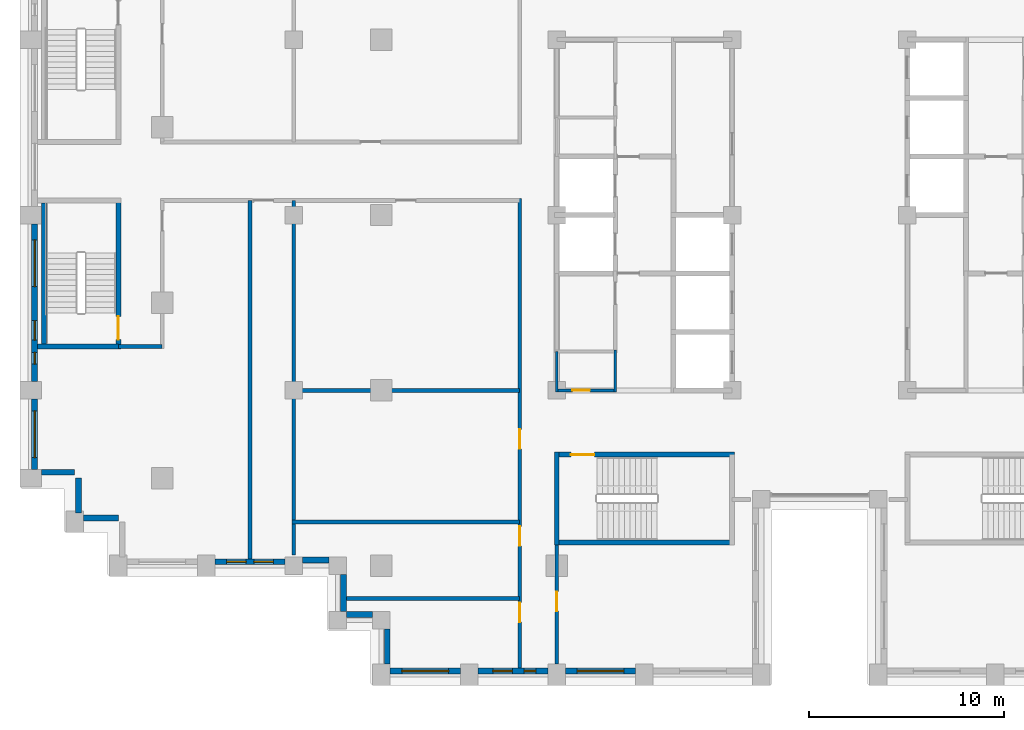
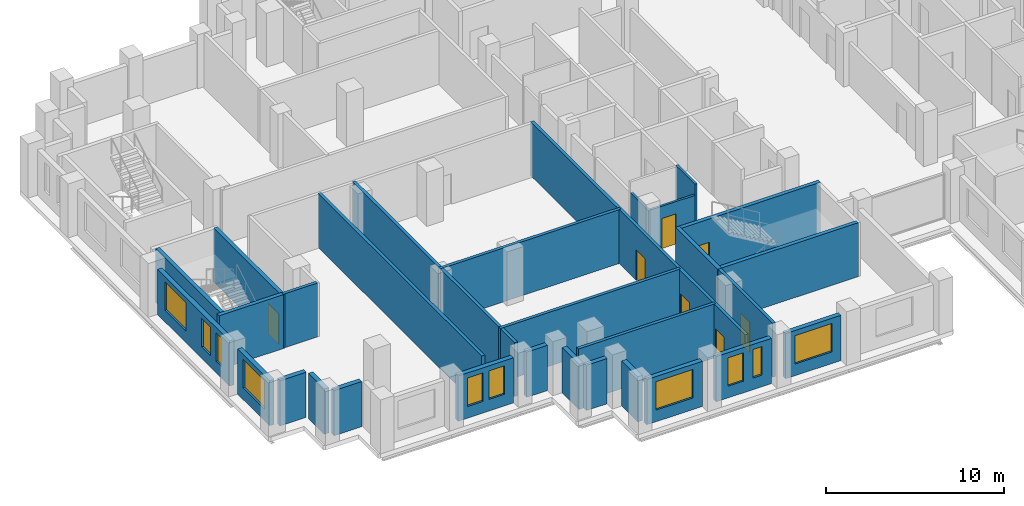
# One storey, part 6 of 15: 30 walls, 10 windows, 7 doors, 17 openings.
"""IFC4 building model written with IfcOpenShell, lengths in metres."""

from ifc_helpers import new_model, si_unit, direction, frame, frame_2d, origin, place, context, subcontext, project, spatial, rectangle, extrude, material, layer, layer_set, type_object, element, fill, save


model = new_model("IFC4")

# Units and contexts
model_context = context("Model", 3, precision=1e-05, world=origin(), true_north=direction((0.0, 1.0)))
body_context = subcontext(model_context, "Body", "Model", "MODEL_VIEW")
ifc_project = project(units=[si_unit("LENGTHUNIT", "METRE"), si_unit("AREAUNIT", "SQUARE_METRE"), si_unit("VOLUMEUNIT", "CUBIC_METRE"), si_unit("PLANEANGLEUNIT", "RADIAN"), si_unit("MASSUNIT", "GRAM", prefix="KILO")], contexts=[model_context])

# Site, building, storey
site_placement = place(None, origin())
site = spatial("IfcSite", under=ifc_project, at=site_placement, CompositionType="ELEMENT")
building_placement = place(site_placement, origin())
building = spatial("IfcBuilding", under=site, at=building_placement, Name="Corbelhall Arena Tower", CompositionType="ELEMENT")
storey_placement = place(building_placement, frame((0.0, 0.0, 142.0)))
storey = spatial("IfcBuildingStorey", under=building, at=storey_placement, Name="L27", CompositionType="ELEMENT", Elevation=142.0)

# Walls
ifc_material_1 = material(Name="Precast concrete C40/50 with granite facing", Category="masonry")
ifc_layer_1 = layer(ifc_material_1, 0.300048828125)
ifc_layer_set_1 = layer_set([ifc_layer_1], Name="EV-IW1 Infill panel 300")
wall_type_1 = type_object("IfcWallType", Name="EV-IW1 Infill panel 300", PredefinedType="SOLIDWALL", material=ifc_layer_set_1)
wall_1_placement = place(storey_placement, frame((-39.949951171875, -13.199951171875, 0.0), z_axis=(0.0, 0.0, 1.0), x_axis=(1.0, 0.0, 0.0)))
element("IfcWall", 1, at=wall_1_placement, inside=storey, type_object=wall_type_1, Name="Infill panel IW1", PredefinedType="SOLIDWALL", context=body_context, shape_type="SweptSolid", body=[
    extrude(rectangle(XDim=1.699951171875, YDim=0.300048828125, at=frame_2d((0.85009765625, 0.0))), origin(), (0.0, 0.0, 1.0), 3.10009765625),
])
for number, where, z_axis, x_axis, name in (
    (2, (-38.050048828125, -15.300048828125, 0.0), (0.0, 0.0, 1.0), (0.0, 1.0, 0.0), "Infill panel IW1"),
    (3, (-37.800048828125, -15.550048828125, 0.0), (0.0, 0.0, 1.0), (1.0, 0.0, 0.0), "Infill panel IW1"),
):
    element("IfcWall", number, at=place(storey_placement, frame(where, z_axis=z_axis, x_axis=x_axis)), inside=storey, type_object=wall_type_1, Name=name, PredefinedType="SOLIDWALL", context=body_context, shape_type="SweptSolid", body=[
        extrude(rectangle(XDim=1.800048828125, YDim=0.300048828125, at=frame_2d((0.89990234375, 0.0))), origin(), (0.0, 0.0, 1.0), 3.10009765625),
    ])

# Wall, openings, windows
wall_2_placement = place(storey_placement, frame((-40.300048828125, -0.449951171875, 0.0), z_axis=(0.0, 0.0, 1.0), x_axis=(0.0, -1.0, 0.0)))
wall_2 = element("IfcWall", 4, at=wall_2_placement, inside=storey, type_object=wall_type_1, Name="Infill panel IW1", PredefinedType="SOLIDWALL", context=body_context, shape_type="SweptSolid", body=[
    extrude(rectangle(XDim=8.10009765625, YDim=0.300048828125, at=frame_2d((4.050048828125, 0.0))), origin(), (0.0, 0.0, 1.0), 3.10009765625),
])
opening_1_placement = place(wall_2_placement, frame((0.824951171875, 0.0, 0.800048828125)))
opening_1 = element("IfcOpeningElement", 5, at=opening_1_placement, cuts=wall_2, Name="Opening WN1", PredefinedType="OPENING", context=body_context, shape_type="SweptSolid", body=[
    extrude(rectangle(XDim=2.39990234375, YDim=1.949951171875, at=frame_2d((1.199951171875, 0.97509765625))), frame((0.0, 0.14990234375, 0.0), z_axis=(0.0, -1.0, 0.0), x_axis=(1.0, 0.0, 0.0)), (0.0, 0.0, 1.0), 0.300048828125),
])
opening_2_placement = place(wall_2_placement, frame((4.97509765625, 0.0, 0.800048828125)))
opening_2 = element("IfcOpeningElement", 6, at=opening_2_placement, cuts=wall_2, Name="Opening WN6", PredefinedType="OPENING", context=body_context, shape_type="SweptSolid", body=[
    extrude(rectangle(XDim=1.0, YDim=1.949951171875, at=frame_2d((0.5, 0.97509765625))), frame((0.0, 0.14990234375, 0.0), z_axis=(0.0, -1.0, 0.0), x_axis=(1.0, 0.0, 0.0)), (0.0, 0.0, 1.0), 0.300048828125),
])
opening_3_placement = place(wall_2_placement, frame((6.60009765625, 0.0, 0.800048828125)))
opening_3 = element("IfcOpeningElement", 7, at=opening_3_placement, cuts=wall_2, Name="Opening WN5", PredefinedType="OPENING", context=body_context, shape_type="SweptSolid", body=[
    extrude(rectangle(XDim=0.60009765625, YDim=1.949951171875, at=frame_2d((0.300048828125, 0.97509765625))), frame((0.0, 0.14990234375, 0.0), z_axis=(0.0, -1.0, 0.0), x_axis=(1.0, 0.0, 0.0)), (0.0, 0.0, 1.0), 0.300048828125),
])
ifc_material_2 = material(Name="Aluminium black anodised", Category="aluminium")
window_type_1 = type_object("IfcWindowType", Name="EV-WN1 Office window", PartitioningType="SINGLE_PANEL", PredefinedType="WINDOW", material=ifc_material_2)
window_1_placement = place(opening_1_placement, origin())
window_1 = element("IfcWindow", 8, at=window_1_placement, inside=storey, type_object=window_type_1, Name="Window WN1", OverallHeight=1.949951171875, OverallWidth=2.39990234375, PartitioningType="SINGLE_PANEL", PredefinedType="WINDOW", context=body_context, shape_type="SweptSolid", body=[
    extrude(rectangle(XDim=2.39990234375, YDim=1.949951171875, at=frame_2d((1.199951171875, 0.97509765625))), frame((0.0, 0.030029296875, 0.0), z_axis=(0.0, -1.0, 0.0), x_axis=(1.0, 0.0, 0.0)), (0.0, 0.0, 1.0), 0.06005859375),
])
fill(opening_1, window_1)
window_type_2 = type_object("IfcWindowType", Name="EV-WN5 Office window 600", PartitioningType="SINGLE_PANEL", PredefinedType="WINDOW", material=ifc_material_2)
window_2_placement = place(opening_3_placement, origin())
window_2 = element("IfcWindow", 9, at=window_2_placement, inside=storey, type_object=window_type_2, Name="Window WN5", OverallHeight=1.949951171875, OverallWidth=0.60009765625, PartitioningType="SINGLE_PANEL", PredefinedType="WINDOW", context=body_context, shape_type="SweptSolid", body=[
    extrude(rectangle(XDim=0.60009765625, YDim=1.949951171875, at=frame_2d((0.300048828125, 0.97509765625))), frame((0.0, 0.030029296875, 0.0), z_axis=(0.0, -1.0, 0.0), x_axis=(1.0, 0.0, 0.0)), (0.0, 0.0, 1.0), 0.06005859375),
])
fill(opening_3, window_2)
window_type_3 = type_object("IfcWindowType", Name="EV-WN6 Office window 1000", PartitioningType="SINGLE_PANEL", PredefinedType="WINDOW", material=ifc_material_2)
window_3_placement = place(opening_2_placement, origin())
window_3 = element("IfcWindow", 10, at=window_3_placement, inside=storey, type_object=window_type_3, Name="Window WN6", OverallHeight=1.949951171875, OverallWidth=1.0, PartitioningType="SINGLE_PANEL", PredefinedType="WINDOW", context=body_context, shape_type="SweptSolid", body=[
    extrude(rectangle(XDim=1.0, YDim=1.949951171875, at=frame_2d((0.5, 0.97509765625))), frame((0.0, 0.030029296875, 0.0), z_axis=(0.0, -1.0, 0.0), x_axis=(1.0, 0.0, 0.0)), (0.0, 0.0, 1.0), 0.06005859375),
])
fill(opening_2, window_3)

# Wall, opening, window
wall_3_placement = place(storey_placement, frame((-40.300048828125, -9.449951171875, 0.0), z_axis=(0.0, 0.0, 1.0), x_axis=(0.0, -1.0, 0.0)))
wall_3 = element("IfcWall", 11, at=wall_3_placement, inside=storey, type_object=wall_type_1, Name="Infill panel IW1", PredefinedType="SOLIDWALL", context=body_context, shape_type="SweptSolid", body=[
    extrude(rectangle(XDim=3.60009765625, YDim=0.300048828125, at=frame_2d((1.800048828125, 0.0))), origin(), (0.0, 0.0, 1.0), 3.10009765625),
])
opening_4_placement = place(wall_3_placement, frame((0.60009765625, 0.0, 0.800048828125)))
opening_4 = element("IfcOpeningElement", 12, at=opening_4_placement, cuts=wall_3, Name="Opening WN1", PredefinedType="OPENING", context=body_context, shape_type="SweptSolid", body=[
    extrude(rectangle(XDim=2.39990234375, YDim=1.949951171875, at=frame_2d((1.199951171875, 0.97509765625))), frame((0.0, 0.14990234375, 0.0), z_axis=(0.0, -1.0, 0.0), x_axis=(1.0, 0.0, 0.0)), (0.0, 0.0, 1.0), 0.300048828125),
])
window_4_placement = place(opening_4_placement, origin())
window_4 = element("IfcWindow", 13, at=window_4_placement, inside=storey, type_object=window_type_1, Name="Window WN1", OverallHeight=1.949951171875, OverallWidth=2.39990234375, PartitioningType="SINGLE_PANEL", PredefinedType="WINDOW", context=body_context, shape_type="SweptSolid", body=[
    extrude(rectangle(XDim=2.39990234375, YDim=1.949951171875, at=frame_2d((1.199951171875, 0.97509765625))), frame((0.0, 0.030029296875, 0.0), z_axis=(0.0, -1.0, 0.0), x_axis=(1.0, 0.0, 0.0)), (0.0, 0.0, 1.0), 0.06005859375),
])
fill(opening_4, window_4)

# Wall, openings, windows
wall_4_placement = place(storey_placement, frame((-31.050048828125, -17.800048828125, 0.0), z_axis=(0.0, 0.0, 1.0), x_axis=(1.0, 0.0, 0.0)))
wall_4 = element("IfcWall", 14, at=wall_4_placement, inside=storey, type_object=wall_type_1, Name="Infill panel IW1", PredefinedType="SOLIDWALL", context=body_context, shape_type="SweptSolid", body=[
    extrude(rectangle(XDim=3.60009765625, YDim=0.300048828125, at=frame_2d((1.800048828125, 0.0))), origin(), (0.0, 0.0, 1.0), 3.10009765625),
])
opening_5_placement = place(wall_4_placement, frame((0.60009765625, 0.0, 0.800048828125)))
opening_5 = element("IfcOpeningElement", 15, at=opening_5_placement, cuts=wall_4, Name="Opening WN6", PredefinedType="OPENING", context=body_context, shape_type="SweptSolid", body=[
    extrude(rectangle(XDim=1.0, YDim=1.949951171875, at=frame_2d((0.5, 0.97509765625))), frame((0.0, 0.14990234375, 0.0), z_axis=(0.0, -1.0, 0.0), x_axis=(1.0, 0.0, 0.0)), (0.0, 0.0, 1.0), 0.300048828125),
])
opening_6_placement = place(wall_4_placement, frame((2.0, 0.0, 0.800048828125)))
opening_6 = element("IfcOpeningElement", 16, at=opening_6_placement, cuts=wall_4, Name="Opening WN6", PredefinedType="OPENING", context=body_context, shape_type="SweptSolid", body=[
    extrude(rectangle(XDim=1.0, YDim=1.949951171875, at=frame_2d((0.5, 0.97509765625))), frame((0.0, 0.14990234375, 0.0), z_axis=(0.0, -1.0, 0.0), x_axis=(1.0, 0.0, 0.0)), (0.0, 0.0, 1.0), 0.300048828125),
])
window_5_placement = place(opening_5_placement, origin())
window_5 = element("IfcWindow", 17, at=window_5_placement, inside=storey, type_object=window_type_3, Name="Window WN6", OverallHeight=1.949951171875, OverallWidth=1.0, PartitioningType="SINGLE_PANEL", PredefinedType="WINDOW", context=body_context, shape_type="SweptSolid", body=[
    extrude(rectangle(XDim=1.0, YDim=1.949951171875, at=frame_2d((0.5, 0.97509765625))), frame((0.0, 0.030029296875, 0.0), z_axis=(0.0, -1.0, 0.0), x_axis=(1.0, 0.0, 0.0)), (0.0, 0.0, 1.0), 0.06005859375),
])
fill(opening_5, window_5)
window_6_placement = place(opening_6_placement, origin())
window_6 = element("IfcWindow", 18, at=window_6_placement, inside=storey, type_object=window_type_3, Name="Window WN6", OverallHeight=1.949951171875, OverallWidth=1.0, PartitioningType="SINGLE_PANEL", PredefinedType="WINDOW", context=body_context, shape_type="SweptSolid", body=[
    extrude(rectangle(XDim=1.0, YDim=1.949951171875, at=frame_2d((0.5, 0.97509765625))), frame((0.0, 0.030029296875, 0.0), z_axis=(0.0, -1.0, 0.0), x_axis=(1.0, 0.0, 0.0)), (0.0, 0.0, 1.0), 0.06005859375),
])
fill(opening_6, window_6)

# Walls
wall_5_placement = place(storey_placement, frame((-26.550048828125, -17.699951171875, 0.0), z_axis=(0.0, 0.0, 1.0), x_axis=(1.0, 0.0, 0.0)))
element("IfcWall", 19, at=wall_5_placement, inside=storey, type_object=wall_type_1, Name="Infill panel IW1", PredefinedType="SOLIDWALL", context=body_context, shape_type="SweptSolid", body=[
    extrude(rectangle(XDim=1.35009765625, YDim=0.300048828125, at=frame_2d((0.675048828125, 0.0))), origin(), (0.0, 0.0, 1.0), 3.10009765625),
])
wall_6_placement = place(storey_placement, frame((-24.449951171875, -18.449951171875, 0.0), z_axis=(0.0, 0.0, 1.0), x_axis=(0.0, -1.0, 0.0)))
element("IfcWall", 20, at=wall_6_placement, inside=storey, type_object=wall_type_1, Name="Infill panel IW1", PredefinedType="SOLIDWALL", context=body_context, shape_type="SweptSolid", body=[
    extrude(rectangle(XDim=1.900146484375, YDim=0.300048828125, at=frame_2d((0.9501953125, 0.0))), origin(), (0.0, 0.0, 1.0), 3.10009765625),
])
wall_7_placement = place(storey_placement, frame((-24.300048828125, -20.5, 0.0), z_axis=(0.0, 0.0, 1.0), x_axis=(1.0, 0.0, 0.0)))
element("IfcWall", 21, at=wall_7_placement, inside=storey, type_object=wall_type_1, Name="Infill panel IW1", PredefinedType="SOLIDWALL", context=body_context, shape_type="SweptSolid", body=[
    extrude(rectangle(XDim=1.35009765625, YDim=0.300048828125, at=frame_2d((0.675048828125, 0.0))), origin(), (0.0, 0.0, 1.0), 3.10009765625),
])
wall_8_placement = place(storey_placement, frame((-22.199951171875, -21.25, 0.0), z_axis=(0.0, 0.0, 1.0), x_axis=(0.0, -1.0, 0.0)))
element("IfcWall", 22, at=wall_8_placement, inside=storey, type_object=wall_type_1, Name="Infill panel IW1", PredefinedType="SOLIDWALL", context=body_context, shape_type="SweptSolid", body=[
    extrude(rectangle(XDim=1.800048828125, YDim=0.300048828125, at=frame_2d((0.89990234375, 0.0))), origin(), (0.0, 0.0, 1.0), 3.10009765625),
])

# Wall, opening, window
wall_9_placement = place(storey_placement, frame((-22.050048828125, -23.39990234375, 0.0), z_axis=(0.0, 0.0, 1.0), x_axis=(1.0, 0.0, 0.0)))
wall_9 = element("IfcWall", 23, at=wall_9_placement, inside=storey, type_object=wall_type_1, Name="Infill panel IW1", PredefinedType="SOLIDWALL", context=body_context, shape_type="SweptSolid", body=[
    extrude(rectangle(XDim=3.60009765625, YDim=0.300048828125, at=frame_2d((1.800048828125, 0.0))), origin(), (0.0, 0.0, 1.0), 3.10009765625),
])
opening_7_placement = place(wall_9_placement, frame((0.60009765625, 0.0, 0.800048828125)))
opening_7 = element("IfcOpeningElement", 24, at=opening_7_placement, cuts=wall_9, Name="Opening WN1", PredefinedType="OPENING", context=body_context, shape_type="SweptSolid", body=[
    extrude(rectangle(XDim=2.39990234375, YDim=1.949951171875, at=frame_2d((1.199951171875, 0.97509765625))), frame((0.0, 0.14990234375, 0.0), z_axis=(0.0, -1.0, 0.0), x_axis=(1.0, 0.0, 0.0)), (0.0, 0.0, 1.0), 0.300048828125),
])
window_7_placement = place(opening_7_placement, origin())
window_7 = element("IfcWindow", 25, at=window_7_placement, inside=storey, type_object=window_type_1, Name="Window WN1", OverallHeight=1.949951171875, OverallWidth=2.39990234375, PartitioningType="SINGLE_PANEL", PredefinedType="WINDOW", context=body_context, shape_type="SweptSolid", body=[
    extrude(rectangle(XDim=2.39990234375, YDim=1.949951171875, at=frame_2d((1.199951171875, 0.97509765625))), frame((0.0, 0.030029296875, 0.0), z_axis=(0.0, -1.0, 0.0), x_axis=(1.0, 0.0, 0.0)), (0.0, 0.0, 1.0), 0.06005859375),
])
fill(opening_7, window_7)

# Wall, openings, windows
wall_10_placement = place(storey_placement, frame((-17.550048828125, -23.39990234375, 0.0), z_axis=(0.0, 0.0, 1.0), x_axis=(1.0, 0.0, 0.0)))
wall_10 = element("IfcWall", 26, at=wall_10_placement, inside=storey, type_object=wall_type_1, Name="Infill panel IW1", PredefinedType="SOLIDWALL", context=body_context, shape_type="SweptSolid", body=[
    extrude(rectangle(XDim=3.60009765625, YDim=0.300048828125, at=frame_2d((1.800048828125, 0.0))), origin(), (0.0, 0.0, 1.0), 3.10009765625),
])
opening_8_placement = place(wall_10_placement, frame((0.77490234375, 0.0, 0.800048828125)))
opening_8 = element("IfcOpeningElement", 27, at=opening_8_placement, cuts=wall_10, Name="Opening WN6", PredefinedType="OPENING", context=body_context, shape_type="SweptSolid", body=[
    extrude(rectangle(XDim=1.0, YDim=1.949951171875, at=frame_2d((0.5, 0.97509765625))), frame((0.0, 0.14990234375, 0.0), z_axis=(0.0, -1.0, 0.0), x_axis=(1.0, 0.0, 0.0)), (0.0, 0.0, 1.0), 0.300048828125),
])
opening_9_placement = place(wall_10_placement, frame((2.375, 0.0, 0.800048828125)))
opening_9 = element("IfcOpeningElement", 28, at=opening_9_placement, cuts=wall_10, Name="Opening WN5", PredefinedType="OPENING", context=body_context, shape_type="SweptSolid", body=[
    extrude(rectangle(XDim=0.60009765625, YDim=1.949951171875, at=frame_2d((0.300048828125, 0.97509765625))), frame((0.0, 0.14990234375, 0.0), z_axis=(0.0, -1.0, 0.0), x_axis=(1.0, 0.0, 0.0)), (0.0, 0.0, 1.0), 0.300048828125),
])
window_8_placement = place(opening_9_placement, origin())
window_8 = element("IfcWindow", 29, at=window_8_placement, inside=storey, type_object=window_type_2, Name="Window WN5", OverallHeight=1.949951171875, OverallWidth=0.60009765625, PartitioningType="SINGLE_PANEL", PredefinedType="WINDOW", context=body_context, shape_type="SweptSolid", body=[
    extrude(rectangle(XDim=0.60009765625, YDim=1.949951171875, at=frame_2d((0.300048828125, 0.97509765625))), frame((0.0, 0.030029296875, 0.0), z_axis=(0.0, -1.0, 0.0), x_axis=(1.0, 0.0, 0.0)), (0.0, 0.0, 1.0), 0.06005859375),
])
fill(opening_9, window_8)
window_9_placement = place(opening_8_placement, origin())
window_9 = element("IfcWindow", 30, at=window_9_placement, inside=storey, type_object=window_type_3, Name="Window WN6", OverallHeight=1.949951171875, OverallWidth=1.0, PartitioningType="SINGLE_PANEL", PredefinedType="WINDOW", context=body_context, shape_type="SweptSolid", body=[
    extrude(rectangle(XDim=1.0, YDim=1.949951171875, at=frame_2d((0.5, 0.97509765625))), frame((0.0, 0.030029296875, 0.0), z_axis=(0.0, -1.0, 0.0), x_axis=(1.0, 0.0, 0.0)), (0.0, 0.0, 1.0), 0.06005859375),
])
fill(opening_8, window_9)

# Wall, opening, window
wall_11_placement = place(storey_placement, frame((-13.050048828125, -23.39990234375, 0.0), z_axis=(0.0, 0.0, 1.0), x_axis=(1.0, 0.0, 0.0)))
wall_11 = element("IfcWall", 31, at=wall_11_placement, inside=storey, type_object=wall_type_1, Name="Infill panel IW1", PredefinedType="SOLIDWALL", context=body_context, shape_type="SweptSolid", body=[
    extrude(rectangle(XDim=3.60009765625, YDim=0.300048828125, at=frame_2d((1.800048828125, 0.0))), origin(), (0.0, 0.0, 1.0), 3.10009765625),
])
opening_10_placement = place(wall_11_placement, frame((0.60009765625, 0.0, 0.800048828125)))
opening_10 = element("IfcOpeningElement", 32, at=opening_10_placement, cuts=wall_11, Name="Opening WN1", PredefinedType="OPENING", context=body_context, shape_type="SweptSolid", body=[
    extrude(rectangle(XDim=2.39990234375, YDim=1.949951171875, at=frame_2d((1.199951171875, 0.97509765625))), frame((0.0, 0.14990234375, 0.0), z_axis=(0.0, -1.0, 0.0), x_axis=(1.0, 0.0, 0.0)), (0.0, 0.0, 1.0), 0.300048828125),
])
window_10_placement = place(opening_10_placement, origin())
window_10 = element("IfcWindow", 33, at=window_10_placement, inside=storey, type_object=window_type_1, Name="Window WN1", OverallHeight=1.949951171875, OverallWidth=2.39990234375, PartitioningType="SINGLE_PANEL", PredefinedType="WINDOW", context=body_context, shape_type="SweptSolid", body=[
    extrude(rectangle(XDim=2.39990234375, YDim=1.949951171875, at=frame_2d((1.199951171875, 0.97509765625))), frame((0.0, 0.030029296875, 0.0), z_axis=(0.0, -1.0, 0.0), x_axis=(1.0, 0.0, 0.0)), (0.0, 0.0, 1.0), 0.06005859375),
])
fill(opening_10, window_10)

# Walls
ifc_material_3 = material(Name="Gypsum board on steel stud, acoustic", Category="steel")
ifc_layer_2 = layer(ifc_material_3, 0.199951171875)
ifc_layer_set_2 = layer_set([ifc_layer_2], Name="IN-W-DM200")
wall_type_2 = type_object("IfcWallType", Name="IN-W-DM200", PredefinedType="PARTITIONING", material=ifc_layer_set_2)
wall_12_placement = place(storey_placement, frame((-33.75, -6.75, 0.0), z_axis=(0.0, 0.0, 1.0), x_axis=(-1.0, 0.0, 0.0)))
element("IfcWall", 34, at=wall_12_placement, inside=storey, type_object=wall_type_2, Name="Partition 003", PredefinedType="PARTITIONING", context=body_context, shape_type="SweptSolid", body=[
    extrude(rectangle(XDim=2.25, YDim=0.199951171875, at=frame_2d((1.125, 0.0))), origin(), (0.0, 0.0, 1.0), 3.699951171875),
])
wall_13_placement = place(storey_placement, frame((-29.25, 0.75, 0.0), z_axis=(0.0, 0.0, 1.0), x_axis=(0.0, -1.0, 0.0)))
element("IfcWall", 35, at=wall_13_placement, inside=storey, type_object=wall_type_2, Name="Partition 006", PredefinedType="PARTITIONING", context=body_context, shape_type="SweptSolid", body=[
    extrude(rectangle(XDim=18.39990234375, YDim=0.199951171875, at=frame_2d((9.199951171875, 0.0))), origin(), (0.0, 0.0, 1.0), 3.699951171875),
])
for number, where, z_axis, x_axis, name in (
    (36, (-27.10009765625, -15.75, 0.0), (0.0, 0.0, 1.0), (1.0, 0.0, 0.0), "Partition 008"),
    (37, (-27.10009765625, -9.0, 0.0), (0.0, 0.0, 1.0), (1.0, 0.0, 0.0), "Partition 009"),
):
    element("IfcWall", number, at=place(storey_placement, frame(where, z_axis=z_axis, x_axis=x_axis)), inside=storey, type_object=wall_type_2, Name=name, PredefinedType="PARTITIONING", context=body_context, shape_type="SweptSolid", body=[
        extrude(rectangle(XDim=11.7001953125, YDim=0.199951171875, at=frame_2d((5.85009765625, 0.0))), origin(), (0.0, 0.0, 1.0), 3.699951171875),
    ])
wall_14_placement = place(storey_placement, frame((-27.0, -17.449951171875, 0.0), z_axis=(0.0, 0.0, 1.0), x_axis=(0.0, 1.0, 0.0)))
element("IfcWall", 38, at=wall_14_placement, inside=storey, type_object=wall_type_2, Name="Partition 011", PredefinedType="PARTITIONING", context=body_context, shape_type="SweptSolid", body=[
    extrude(rectangle(XDim=18.199951171875, YDim=0.199951171875, at=frame_2d((9.10009765625, 0.0))), origin(), (0.0, 0.0, 1.0), 3.699951171875),
])
wall_15_placement = place(storey_placement, frame((-24.300048828125, -19.675048828125, 0.0), z_axis=(0.0, 0.0, 1.0), x_axis=(1.0, 0.0, 0.0)))
element("IfcWall", 39, at=wall_15_placement, inside=storey, type_object=wall_type_2, Name="Partition 013", PredefinedType="PARTITIONING", context=body_context, shape_type="SweptSolid", body=[
    extrude(rectangle(XDim=8.900146484375, YDim=0.199951171875, at=frame_2d((4.4501953125, 0.0))), origin(), (0.0, 0.0, 1.0), 3.699951171875),
])

# Wall, openings, doors
wall_16_placement = place(storey_placement, frame((-15.39990234375, -23.25, 0.0), z_axis=(0.0, 0.0, 1.0), x_axis=(0.0, 1.0, 0.0)))
wall_16 = element("IfcWall", 40, at=wall_16_placement, inside=storey, type_object=wall_type_2, Name="Partition 016", PredefinedType="PARTITIONING", context=body_context, shape_type="SweptSolid", body=[
    extrude(rectangle(XDim=24.10009765625, YDim=0.199951171875, at=frame_2d((12.050048828125, 0.0))), origin(), (0.0, 0.0, 1.0), 3.699951171875),
])
opening_11_placement = place(wall_16_placement, frame((2.35009765625, 0.0, 0.0)))
opening_11 = element("IfcOpeningElement", 41, at=opening_11_placement, cuts=wall_16, Name="Opening 07028", PredefinedType="OPENING", context=body_context, shape_type="SweptSolid", body=[
    extrude(rectangle(XDim=1.0, YDim=2.10009765625, at=frame_2d((0.5, 1.050048828125))), frame((0.0, 0.10009765625, 0.0), z_axis=(0.0, -1.0, 0.0), x_axis=(1.0, 0.0, 0.0)), (0.0, 0.0, 1.0), 0.199951171875),
])
opening_12_placement = place(wall_16_placement, frame((6.27490234375, 0.0, 0.0)))
opening_12 = element("IfcOpeningElement", 42, at=opening_12_placement, cuts=wall_16, Name="Opening 07029", PredefinedType="OPENING", context=body_context, shape_type="SweptSolid", body=[
    extrude(rectangle(XDim=1.0, YDim=2.10009765625, at=frame_2d((0.5, 1.050048828125))), frame((0.0, 0.10009765625, 0.0), z_axis=(0.0, -1.0, 0.0), x_axis=(1.0, 0.0, 0.0)), (0.0, 0.0, 1.0), 0.199951171875),
])
opening_13_placement = place(wall_16_placement, frame((11.25, 0.0, 0.0)))
opening_13 = element("IfcOpeningElement", 43, at=opening_13_placement, cuts=wall_16, Name="Opening 07030", PredefinedType="OPENING", context=body_context, shape_type="SweptSolid", body=[
    extrude(rectangle(XDim=1.0, YDim=2.10009765625, at=frame_2d((0.5, 1.050048828125))), frame((0.0, 0.10009765625, 0.0), z_axis=(0.0, -1.0, 0.0), x_axis=(1.0, 0.0, 0.0)), (0.0, 0.0, 1.0), 0.199951171875),
])
ifc_material_4 = material(Name="Steel door set", Category="steel")
door_type_1 = type_object("IfcDoorType", Name="IN-D-SW100", OperationType="NOTDEFINED", PredefinedType="DOOR", material=ifc_material_4)
door_1_placement = place(opening_11_placement, origin())
door_1 = element("IfcDoor", 44, at=door_1_placement, inside=storey, type_object=door_type_1, Name="Door 028", OperationType="SINGLE_SWING_LEFT", OverallHeight=2.10009765625, OverallWidth=1.0, PredefinedType="DOOR", context=body_context, shape_type="SweptSolid", body=[
    extrude(rectangle(XDim=1.0, YDim=2.10009765625, at=frame_2d((0.5, 1.050048828125))), frame((0.0, 0.02490234375, 0.0), z_axis=(0.0, -1.0, 0.0), x_axis=(1.0, 0.0, 0.0)), (0.0, 0.0, 1.0), 0.050048828125),
])
fill(opening_11, door_1)
door_2_placement = place(opening_12_placement, origin())
door_2 = element("IfcDoor", 45, at=door_2_placement, inside=storey, type_object=door_type_1, Name="Door 029", OperationType="SINGLE_SWING_RIGHT", OverallHeight=2.10009765625, OverallWidth=1.0, PredefinedType="DOOR", context=body_context, shape_type="SweptSolid", body=[
    extrude(rectangle(XDim=1.0, YDim=2.10009765625, at=frame_2d((0.5, 1.050048828125))), frame((0.0, 0.02490234375, 0.0), z_axis=(0.0, -1.0, 0.0), x_axis=(1.0, 0.0, 0.0)), (0.0, 0.0, 1.0), 0.050048828125),
])
fill(opening_12, door_2)
door_3_placement = place(opening_13_placement, origin())
door_3 = element("IfcDoor", 46, at=door_3_placement, inside=storey, type_object=door_type_1, Name="Door 030", OperationType="SINGLE_SWING_LEFT", OverallHeight=2.10009765625, OverallWidth=1.0, PredefinedType="DOOR", context=body_context, shape_type="SweptSolid", body=[
    extrude(rectangle(XDim=1.0, YDim=2.10009765625, at=frame_2d((0.5, 1.050048828125))), frame((0.0, 0.02490234375, 0.0), z_axis=(0.0, -1.0, 0.0), x_axis=(1.0, 0.0, 0.0)), (0.0, 0.0, 1.0), 0.050048828125),
])
fill(opening_13, door_3)

# Wall, opening, door
wall_17_placement = place(storey_placement, frame((-13.5, -16.675048828125, 0.0), z_axis=(0.0, 0.0, 1.0), x_axis=(0.0, -1.0, 0.0)))
wall_17 = element("IfcWall", 47, at=wall_17_placement, inside=storey, type_object=wall_type_2, Name="Partition 021", PredefinedType="PARTITIONING", context=body_context, shape_type="SweptSolid", body=[
    extrude(rectangle(XDim=6.375, YDim=0.199951171875, at=frame_2d((3.1875, 0.0))), origin(), (0.0, 0.0, 1.0), 3.699951171875),
])
opening_14_placement = place(wall_17_placement, frame((2.64990234375, 0.0, 0.0)))
opening_14 = element("IfcOpeningElement", 48, at=opening_14_placement, cuts=wall_17, Name="Opening 07024", PredefinedType="OPENING", context=body_context, shape_type="SweptSolid", body=[
    extrude(rectangle(XDim=1.0, YDim=2.10009765625, at=frame_2d((0.5, 1.050048828125))), frame((0.0, 0.10009765625, 0.0), z_axis=(0.0, -1.0, 0.0), x_axis=(1.0, 0.0, 0.0)), (0.0, 0.0, 1.0), 0.199951171875),
])
door_4_placement = place(opening_14_placement, origin())
door_4 = element("IfcDoor", 49, at=door_4_placement, inside=storey, type_object=door_type_1, Name="Door 024", OperationType="SINGLE_SWING_LEFT", OverallHeight=2.10009765625, OverallWidth=1.0, PredefinedType="DOOR", context=body_context, shape_type="SweptSolid", body=[
    extrude(rectangle(XDim=1.0, YDim=2.10009765625, at=frame_2d((0.5, 1.050048828125))), frame((0.0, 0.02490234375, 0.0), z_axis=(0.0, -1.0, 0.0), x_axis=(1.0, 0.0, 0.0)), (0.0, 0.0, 1.0), 0.050048828125),
])
fill(opening_14, door_4)

# Wall
ifc_material_5 = material(Name="Concrete C40/50", Category="concrete")
ifc_layer_3 = layer(ifc_material_5, 0.25)
ifc_layer_set_3 = layer_set([ifc_layer_3], Name="IN-W-ST250")
wall_type_3 = type_object("IfcWallType", Name="IN-W-ST250", PredefinedType="SOLIDWALL", material=ifc_layer_set_3)
wall_18_placement = place(storey_placement, frame((-36.0, -6.75, 0.0), z_axis=(0.0, 0.0, 1.0), x_axis=(-1.0, 0.0, 0.0)))
element("IfcWall", 50, at=wall_18_placement, inside=storey, type_object=wall_type_3, Name="Shaft wall 085", PredefinedType="SOLIDWALL", context=body_context, shape_type="SweptSolid", body=[
    extrude(rectangle(XDim=4.14990234375, YDim=0.25, at=frame_2d((2.074951171875, 0.0))), origin(), (0.0, 0.0, 1.0), 3.699951171875),
])

# Wall, opening, door
wall_19_placement = place(storey_placement, frame((-36.0, 0.75, 0.0), z_axis=(0.0, 0.0, 1.0), x_axis=(0.0, -1.0, 0.0)))
wall_19 = element("IfcWall", 51, at=wall_19_placement, inside=storey, type_object=wall_type_3, Name="Shaft wall 086", PredefinedType="SOLIDWALL", context=body_context, shape_type="SweptSolid", body=[
    extrude(rectangle(XDim=7.625, YDim=0.25, at=frame_2d((3.8125, 0.0))), origin(), (0.0, 0.0, 1.0), 3.699951171875),
])
opening_15_placement = place(wall_19_placement, frame((5.949951171875, 0.0, 0.0)))
opening_15 = element("IfcOpeningElement", 52, at=opening_15_placement, cuts=wall_19, Name="Opening 07019", PredefinedType="OPENING", context=body_context, shape_type="SweptSolid", body=[
    extrude(rectangle(XDim=1.199951171875, YDim=2.10009765625, at=frame_2d((0.60009765625, 1.050048828125))), frame((0.0, 0.125, 0.0), z_axis=(0.0, -1.0, 0.0), x_axis=(1.0, 0.0, 0.0)), (0.0, 0.0, 1.0), 0.25),
])
door_type_2 = type_object("IfcDoorType", Name="IN-D-ST120", OperationType="NOTDEFINED", PredefinedType="DOOR", material=ifc_material_4)
door_5_placement = place(opening_15_placement, origin())
door_5 = element("IfcDoor", 53, at=door_5_placement, inside=storey, type_object=door_type_2, Name="Door 019", OperationType="SINGLE_SWING_RIGHT", OverallHeight=2.10009765625, OverallWidth=1.199951171875, PredefinedType="DOOR", context=body_context, shape_type="SweptSolid", body=[
    extrude(rectangle(XDim=1.199951171875, YDim=2.10009765625, at=frame_2d((0.60009765625, 1.050048828125))), frame((0.0, 0.02490234375, 0.0), z_axis=(0.0, -1.0, 0.0), x_axis=(1.0, 0.0, 0.0)), (0.0, 0.0, 1.0), 0.050048828125),
])
fill(opening_15, door_5)

# Walls
wall_20_placement = place(storey_placement, frame((-13.5, -12.175048828125, 0.0), z_axis=(0.0, 0.0, 1.0), x_axis=(0.0, -1.0, 0.0)))
element("IfcWall", 54, at=wall_20_placement, inside=storey, type_object=wall_type_3, Name="Shaft wall 089", PredefinedType="SOLIDWALL", context=body_context, shape_type="SweptSolid", body=[
    extrude(rectangle(XDim=4.75, YDim=0.25, at=frame_2d((2.375, 0.0))), origin(), (0.0, 0.0, 1.0), 3.699951171875),
])
wall_21_placement = place(storey_placement, frame((-4.5, -16.800048828125, 0.0), z_axis=(0.0, 0.0, 1.0), x_axis=(-1.0, 0.0, 0.0)))
element("IfcWall", 55, at=wall_21_placement, inside=storey, type_object=wall_type_3, Name="Shaft wall 093", PredefinedType="SOLIDWALL", context=body_context, shape_type="SweptSolid", body=[
    extrude(rectangle(XDim=9.0, YDim=0.25, at=frame_2d((4.5, 0.0))), origin(), (0.0, 0.0, 1.0), 3.699951171875),
])

# Wall, opening, door
wall_22_placement = place(storey_placement, frame((-4.375, -12.300048828125, 0.0), z_axis=(0.0, 0.0, 1.0), x_axis=(-1.0, 0.0, 0.0)))
wall_22 = element("IfcWall", 56, at=wall_22_placement, inside=storey, type_object=wall_type_3, Name="Shaft wall 096", PredefinedType="SOLIDWALL", context=body_context, shape_type="SweptSolid", body=[
    extrude(rectangle(XDim=9.125, YDim=0.25, at=frame_2d((4.5625, 0.0))), origin(), (0.0, 0.0, 1.0), 3.699951171875),
])
opening_16_placement = place(wall_22_placement, frame((7.199951171875, 0.0, 0.0)))
opening_16 = element("IfcOpeningElement", 57, at=opening_16_placement, cuts=wall_22, Name="Opening 07015", PredefinedType="OPENING", context=body_context, shape_type="SweptSolid", body=[
    extrude(rectangle(XDim=1.199951171875, YDim=2.10009765625, at=frame_2d((0.60009765625, 1.050048828125))), frame((0.0, 0.125, 0.0), z_axis=(0.0, -1.0, 0.0), x_axis=(1.0, 0.0, 0.0)), (0.0, 0.0, 1.0), 0.25),
])
door_6_placement = place(opening_16_placement, origin())
door_6 = element("IfcDoor", 58, at=door_6_placement, inside=storey, type_object=door_type_2, Name="Door 015", OperationType="SINGLE_SWING_RIGHT", OverallHeight=2.10009765625, OverallWidth=1.199951171875, PredefinedType="DOOR", context=body_context, shape_type="SweptSolid", body=[
    extrude(rectangle(XDim=1.199951171875, YDim=2.10009765625, at=frame_2d((0.60009765625, 1.050048828125))), frame((0.0, 0.02490234375, 0.0), z_axis=(0.0, -1.0, 0.0), x_axis=(1.0, 0.0, 0.0)), (0.0, 0.0, 1.0), 0.050048828125),
])
fill(opening_16, door_6)

# Walls
wall_23_placement = place(storey_placement, frame((-39.824951171875, -6.625, 0.0), z_axis=(0.0, 0.0, 1.0), x_axis=(0.0, 1.0, 0.0)))
element("IfcWall", 59, at=wall_23_placement, inside=storey, type_object=wall_type_3, Name="Shaft wall SC2 facade side", PredefinedType="SOLIDWALL", context=body_context, shape_type="SweptSolid", body=[
    extrude(rectangle(XDim=7.25, YDim=0.25, at=frame_2d((3.625, 0.0))), origin(), (0.0, 0.0, 1.0), 3.699951171875),
])
ifc_material_6 = material(Name="Gypsum board on steel stud, moisture resistant", Category="steel")
ifc_layer_4 = layer(ifc_material_6, 0.14990234375)
ifc_layer_set_4 = layer_set([ifc_layer_4], Name="IN-W-WC150")
wall_type_4 = type_object("IfcWallType", Name="IN-W-WC150", PredefinedType="PARTITIONING", material=ifc_layer_set_4)
wall_24_placement = place(storey_placement, frame((-10.5, -9.074951171875, 0.0), z_axis=(0.0, 0.0, 1.0), x_axis=(0.0, 1.0, 0.0)))
element("IfcWall", 60, at=wall_24_placement, inside=storey, type_object=wall_type_4, Name="Partition 115", PredefinedType="PARTITIONING", context=body_context, shape_type="SweptSolid", body=[
    extrude(rectangle(XDim=2.14990234375, YDim=0.14990234375, at=frame_2d((1.074951171875, 0.0))), origin(), (0.0, 0.0, 1.0), 3.699951171875),
])
ifc_layer_5 = layer(ifc_material_6, 0.14990234375)
ifc_layer_set_5 = layer_set([ifc_layer_5], Name="IN-W-WC150 under beam 762 mm")
wall_type_5 = type_object("IfcWallType", Name="IN-W-WC150 under beam 762 mm", PredefinedType="PARTITIONING", material=ifc_layer_set_5)
wall_25_placement = place(storey_placement, frame((-13.5, -9.074951171875, 0.0), z_axis=(0.0, 0.0, 1.0), x_axis=(0.0, 1.0, 0.0)))
element("IfcWall", 61, at=wall_25_placement, inside=storey, type_object=wall_type_5, Name="Partition 113", PredefinedType="PARTITIONING", context=body_context, shape_type="SweptSolid", body=[
    extrude(rectangle(XDim=2.074951171875, YDim=0.14990234375, at=frame_2d((1.03759765625, 0.0))), origin(), (0.0, 0.0, 1.0), 2.93798828125),
])

# Wall, opening, door
wall_26_placement = place(storey_placement, frame((-10.5, -9.0, 0.0), z_axis=(0.0, 0.0, 1.0), x_axis=(-1.0, 0.0, 0.0)))
wall_26 = element("IfcWall", 62, at=wall_26_placement, inside=storey, type_object=wall_type_5, Name="Partition 116", PredefinedType="PARTITIONING", context=body_context, shape_type="SweptSolid", body=[
    extrude(rectangle(XDim=3.0, YDim=0.14990234375, at=frame_2d((1.5, 0.0))), origin(), (0.0, 0.0, 1.0), 2.93798828125),
])
opening_17_placement = place(wall_26_placement, frame((1.300048828125, 0.0, 0.0)))
opening_17 = element("IfcOpeningElement", 63, at=opening_17_placement, cuts=wall_26, Name="Opening 07004", PredefinedType="OPENING", context=body_context, shape_type="SweptSolid", body=[
    extrude(rectangle(XDim=0.89990234375, YDim=2.10009765625, at=frame_2d((0.449951171875, 1.050048828125))), frame((0.0, 0.074951171875, 0.0), z_axis=(0.0, -1.0, 0.0), x_axis=(1.0, 0.0, 0.0)), (0.0, 0.0, 1.0), 0.14990234375),
])
ifc_material_7 = material(Name="Timber door set", Category="wood")
door_type_3 = type_object("IfcDoorType", Name="IN-D-SW90", OperationType="NOTDEFINED", PredefinedType="DOOR", material=ifc_material_7)
door_7_placement = place(opening_17_placement, origin())
door_7 = element("IfcDoor", 64, at=door_7_placement, inside=storey, type_object=door_type_3, Name="Door 004", OperationType="SINGLE_SWING_LEFT", OverallHeight=2.10009765625, OverallWidth=0.89990234375, PredefinedType="DOOR", context=body_context, shape_type="SweptSolid", body=[
    extrude(rectangle(XDim=0.89990234375, YDim=2.10009765625, at=frame_2d((0.449951171875, 1.050048828125))), frame((0.0, 0.02490234375, 0.0), z_axis=(0.0, -1.0, 0.0), x_axis=(1.0, 0.0, 0.0)), (0.0, 0.0, 1.0), 0.050048828125),
])
fill(opening_17, door_7)

save(model, "model.ifc")
